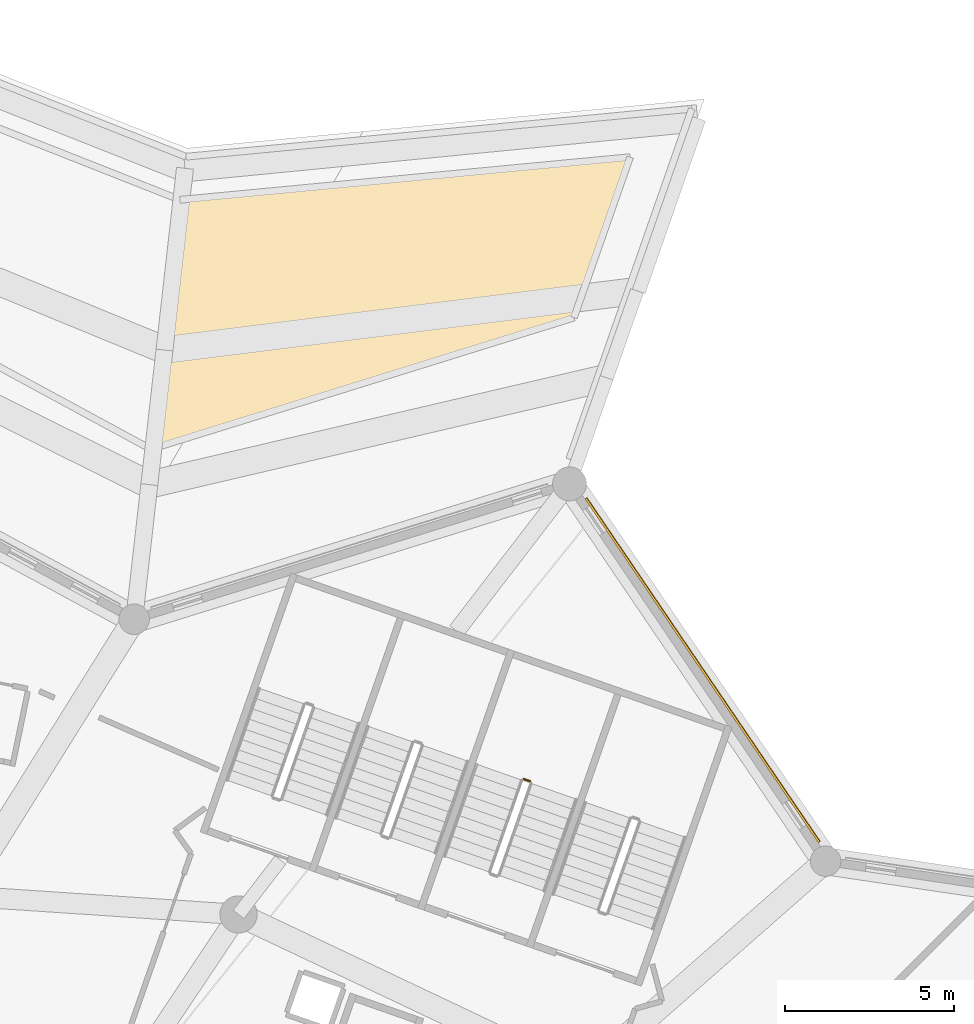
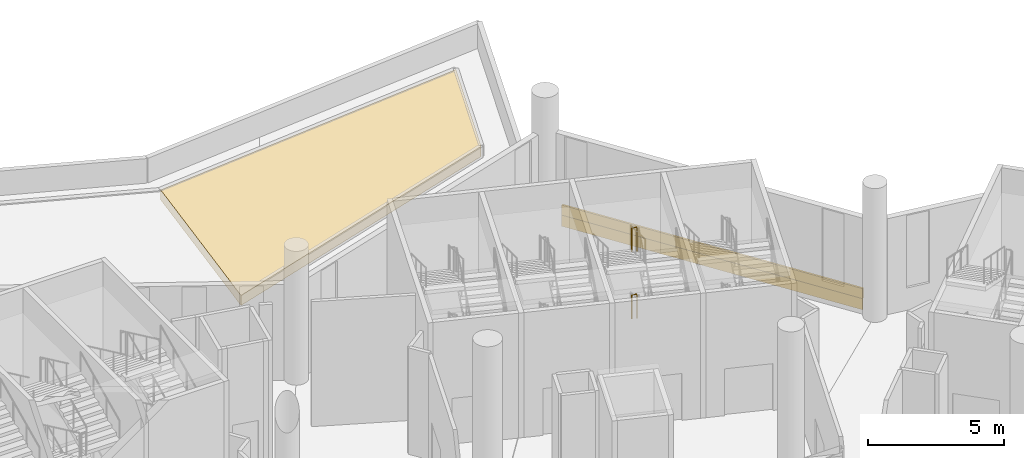
# One storey, part 171 of 173: 3 coverings, 2 railings.
"""IFC4 building model written with IfcOpenShell, lengths in metres."""

from ifc_helpers import new_model, si_unit, direction, frame, origin, origin_2d, place, context, subcontext, project, spatial, polyline, rectangle, circle, outline, extrude, material, layer, layer_set, type_object, element, save


model = new_model("IFC4")

# Units and contexts
model_context = context("Model", 3, precision=1e-05, world=origin(), true_north=direction((0.0, 1.0)))
body_context = subcontext(model_context, "Body", "Model", "MODEL_VIEW")
ifc_project = project(units=[si_unit("LENGTHUNIT", "METRE"), si_unit("AREAUNIT", "SQUARE_METRE"), si_unit("VOLUMEUNIT", "CUBIC_METRE"), si_unit("PLANEANGLEUNIT", "RADIAN"), si_unit("MASSUNIT", "GRAM", prefix="KILO")], contexts=[model_context])

# Site, building, storey
site_placement = place(None, origin())
site = spatial("IfcSite", under=ifc_project, at=site_placement, CompositionType="ELEMENT")
building_placement = place(site_placement, origin())
building = spatial("IfcBuilding", under=site, at=building_placement, Name="Meseta Stadium", CompositionType="ELEMENT")
storey_placement = place(building_placement, frame((0.0, 0.0, 18.0)))
storey = spatial("IfcBuildingStorey", under=building, at=storey_placement, Name="L03", CompositionType="ELEMENT", Elevation=18.0)

# Coverings
ifc_material_1 = material(Name="Guadarrama granite cladding", Category="masonry")
ifc_layer_1 = layer(ifc_material_1, 0.06005859375)
ifc_layer_set_1 = layer_set([ifc_layer_1], Name="Granite plinth cladding 60")
covering_type_1 = type_object("IfcCoveringType", Name="Granite plinth cladding 60", PredefinedType="CLADDING", material=ifc_layer_set_1)
covering_1_placement = place(storey_placement, frame((68.219482421875, 96.787353515625, 0.0), z_axis=(0.0, 0.0, 1.0), x_axis=(0.561489943314, -0.827483560898, 0.0)))
element("IfcCovering", 1, at=covering_1_placement, inside=storey, type_object=covering_type_1, Name="Granite plinth L03 F13", PredefinedType="CLADDING", context=body_context, shape_type="SweptSolid", body=[
    extrude(rectangle(XDim=12.273193359375, YDim=0.06005859375, at=origin_2d()), origin(), (0.0, 0.0, 1.0), 0.5),
])
ifc_material_2 = material(Name="Planting soil")
ifc_layer_2 = layer(ifc_material_2, 0.449951171875)
ifc_layer_set_2 = layer_set([ifc_layer_2], Name="Planting soil 450")
covering_type_2 = type_object("IfcCoveringType", Name="Planting soil 450", PredefinedType="FLOORING", material=ifc_layer_set_2)
covering_2_placement = place(storey_placement, origin())
element("IfcCovering", 2, at=covering_2_placement, inside=storey, type_object=covering_type_2, Name="Roof garden planting bed 2.1 panel 04", PredefinedType="FLOORING", context=body_context, shape_type="SweptSolid", body=[
    extrude(outline(polyline([(52.83740234375, 110.683349609375), (52.010009765625, 103.3408203125), (64.42626953125, 107.20068359375), (66.084228515625, 111.93896484375), (52.83740234375, 110.683349609375)])), origin(), (0.0, 0.0, 1.0), 0.449951171875),
])

# Railings
ifc_material_3 = material(Name="Steel S355", Category="steel")
railing_type = type_object("IfcRailingType", Name="Stair guard 1100", PredefinedType="GUARDRAIL", material=ifc_material_3)
for number, where, name in (
    (3, (63.1328125, 93.51318359375, 1.5), "ST30 L03 guard 2"),
    (4, (63.1328125, 93.51318359375, 4.5), "ST30 L03 guard 6"),
):
    element("IfcRailing", number, at=place(storey_placement, frame(where)), inside=storey, type_object=railing_type, Name=name, PredefinedType="GUARDRAIL", context=body_context, shape_type="SweptSolid", body=[
        extrude(circle(Radius=0.02392578125, at=origin_2d()), frame((0.0, 0.0, 1.076171875), z_axis=(-0.944067610699, 0.329751946816, 0.0), x_axis=(-0.329751946816, -0.944067610699, 0.0)), (0.0, 0.0, 1.0), 0.199951171875),
        extrude(circle(Radius=0.02099609375, at=origin_2d()), origin(), (0.0, 0.0, 1.0), 1.052001953125),
        extrude(circle(Radius=0.02099609375, at=origin_2d()), frame((-0.188720703125, 0.06591796875, 0.0)), (0.0, 0.0, 1.0), 1.052001953125),
    ])

# Covering
ifc_material_4 = material(Name="Precast concrete C40/50, terracotta pigment", Category="masonry")
ifc_layer_3 = layer(ifc_material_4, 0.080078125)
ifc_layer_set_3 = layer_set([ifc_layer_3], Name="Precast concrete C40/50, terracotta pigment")
covering_type_3 = type_object("IfcCoveringType", Name="Terracotta precast band 80", PredefinedType="CLADDING", material=ifc_layer_set_3)
covering_3_placement = place(storey_placement, frame((68.227783203125, 96.79296875, 0.5), z_axis=(0.0, 0.0, 1.0), x_axis=(0.561489943314, -0.827483560898, 0.0)))
element("IfcCovering", 5, at=covering_3_placement, inside=storey, type_object=covering_type_3, Name="Terracotta band L03 F13", PredefinedType="CLADDING", context=body_context, shape_type="SweptSolid", body=[
    extrude(rectangle(XDim=12.273193359375, YDim=0.080078125, at=origin_2d()), origin(), (0.0, 0.0, 1.0), 0.449951171875),
])

save(model, "model.ifc")
